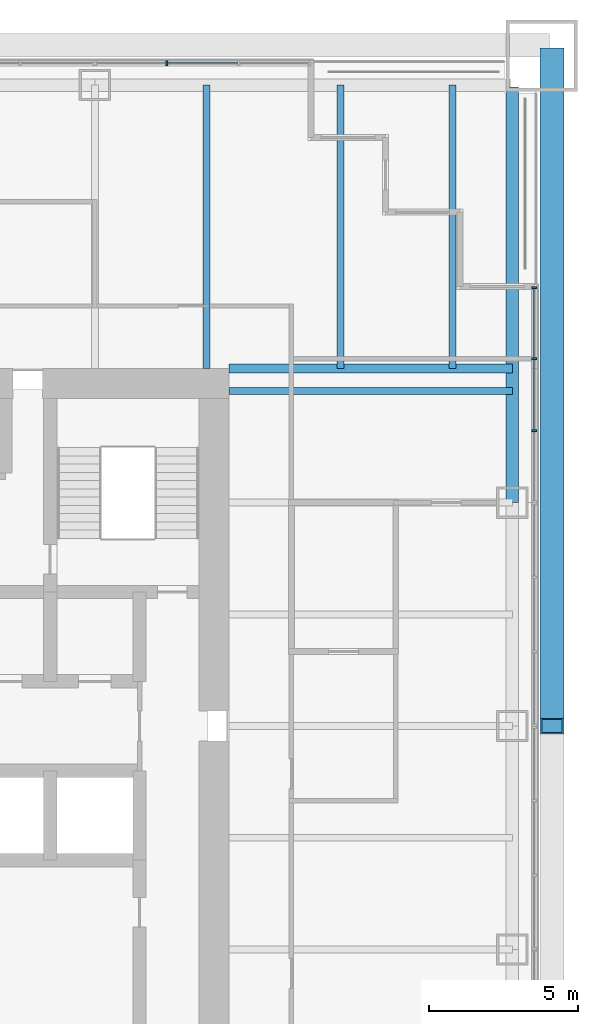
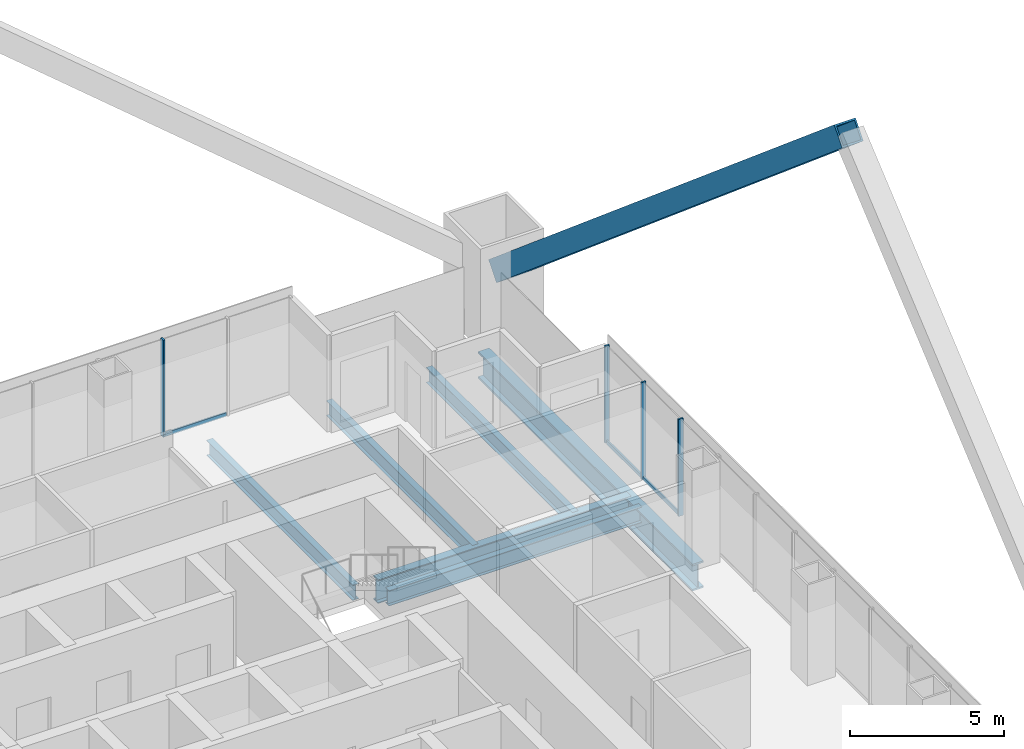
# One storey, part 11 of 19: 8 members, 6 beams, 2 elements without a shape of their own.
"""IFC4 building model written with IfcOpenShell, lengths in metres."""

from ifc_helpers import new_model, si_unit, direction, frame, origin, origin_2d, place, context, subcontext, project, spatial, rectangle, hollow_rectangle, i_section, extrude, material, material_profile, profile_set, type_object, element, aggregate, save


model = new_model("IFC4")

# Units and contexts
model_context = context("Model", 3, precision=1e-05, world=origin(), true_north=direction((0.0, 1.0)))
body_context = subcontext(model_context, "Body", "Model", "MODEL_VIEW")
ifc_project = project(units=[si_unit("LENGTHUNIT", "METRE"), si_unit("AREAUNIT", "SQUARE_METRE"), si_unit("VOLUMEUNIT", "CUBIC_METRE"), si_unit("PLANEANGLEUNIT", "RADIAN"), si_unit("MASSUNIT", "GRAM", prefix="KILO")], contexts=[model_context])

# Site, building, storey
site_placement = place(None, origin())
site = spatial("IfcSite", under=ifc_project, at=site_placement, CompositionType="ELEMENT")
building_placement = place(site_placement, origin())
building = spatial("IfcBuilding", under=site, at=building_placement, Name="Tarangal Relay Tower", CompositionType="ELEMENT")
storey_placement = place(building_placement, frame((0.0, 0.0, 213.89990234375)))
storey = spatial("IfcBuildingStorey", under=building, at=storey_placement, Name="L45", CompositionType="ELEMENT", Elevation=213.89990234375)

# Beams
ifc_material_1 = material(Name="Steel ASTM A992", Category="steel")
ifc_material_profile_1 = material_profile(ifc_material_1, i_section(OverallWidth=0.227783203125, OverallDepth=0.60205078125, WebThickness=0.010498046875, FlangeThickness=0.014892578125, at=origin_2d()), Name="W24X68")
ifc_profile_set_1 = profile_set([ifc_material_profile_1], Name="Steel ASTM A992")
beam_type_1 = type_object("IfcBeamType", Name="Corner beam W24X68", PredefinedType="JOIST", material=ifc_profile_set_1)
for number, where, z_axis, x_axis, name in (
    (1, (15.75, 12.0, -0.450927734375), (0.0, 1.0, 0.0), (-1.0, 0.0, 0.0), "Corner beam CB11 N L45"),
    (2, (19.5, 12.0, -0.450927734375), (0.0, 1.0, 0.0), (-1.0, 0.0, 0.0), "Corner beam CB11 N L45"),
):
    element("IfcBeam", number, at=place(storey_placement, frame(where, z_axis=z_axis, x_axis=x_axis)), inside=storey, type_object=beam_type_1, Name=name, PredefinedType="JOIST", context=body_context, shape_type="SweptSolid", body=[
        extrude(i_section(OverallWidth=0.227783203125, OverallDepth=0.60205078125, WebThickness=0.010498046875, FlangeThickness=0.014892578125, at=origin_2d()), origin(), (0.0, 0.0, 1.0), 9.514892578125),
    ])
ifc_material_profile_2 = material_profile(ifc_material_1, i_section(OverallWidth=0.307373046875, OverallDepth=0.9423828125, WebThickness=0.022216796875, FlangeThickness=0.039794921875, at=origin_2d()), Name="W36X232")
ifc_profile_set_2 = profile_set([ifc_material_profile_2], Name="Steel ASTM A992")
beam_type_2 = type_object("IfcBeamType", Name="Corner girder W36X232", PredefinedType="BEAM", material=ifc_profile_set_2)
beam_1_placement = place(storey_placement, frame((12.0, 12.0, -0.62109375), z_axis=(1.0, 0.0, 0.0), x_axis=(0.0, 1.0, 0.0)))
element("IfcBeam", 3, at=beam_1_placement, inside=storey, type_object=beam_type_2, Name="Corner girder CG4 N L45", PredefinedType="BEAM", context=body_context, shape_type="SweptSolid", body=[
    extrude(i_section(OverallWidth=0.307373046875, OverallDepth=0.9423828125, WebThickness=0.022216796875, FlangeThickness=0.039794921875, at=origin_2d()), origin(), (0.0, 0.0, 1.0), 9.514892578125),
])
ifc_material_profile_3 = material_profile(ifc_material_1, i_section(OverallWidth=0.41650390625, OverallDepth=1.0693359375, WebThickness=0.0390625, FlangeThickness=0.070068359375, at=origin_2d()), Name="W40X503")
ifc_profile_set_3 = profile_set([ifc_material_profile_3], Name="Steel ASTM A992")
beam_type_3 = type_object("IfcBeamType", Name="Edge girder W40X503", PredefinedType="SPANDREL", material=ifc_profile_set_3)
beam_2_placement = place(storey_placement, frame((21.514892578125, 21.449951171875, -0.6845703125), z_axis=(0.0, -1.0, 0.0), x_axis=(1.0, 0.0, 0.0)))
element("IfcBeam", 4, at=beam_2_placement, inside=storey, type_object=beam_type_3, Name="Edge girder EG8 E L45", PredefinedType="SPANDREL", context=body_context, shape_type="SweptSolid", body=[
    extrude(i_section(OverallWidth=0.41650390625, OverallDepth=1.0693359375, WebThickness=0.0390625, FlangeThickness=0.070068359375, at=origin_2d()), origin(), (0.0, 0.0, 1.0), 13.949951171875),
])
ifc_material_profile_4 = material_profile(ifc_material_1, i_section(OverallWidth=0.22900390625, OverallDepth=0.612060546875, WebThickness=0.011962890625, FlangeThickness=0.01953125, at=origin_2d()), Name="W24X84")
ifc_profile_set_4 = profile_set([ifc_material_profile_4], Name="Steel ASTM A992")
beam_type_4 = type_object("IfcBeamType", Name="Floor beam W24X84", PredefinedType="BEAM", material=ifc_profile_set_4)
for number, where, z_axis, x_axis, name in (
    (5, (11.25, 12.0, -0.455810546875), (0.0, 1.0, 0.0), (-1.0, 0.0, 0.0), "Floor beam RB12 N L45"),
    (6, (12.0, 11.25, -0.455810546875), (1.0, 0.0, 0.0), (0.0, 1.0, 0.0), "Floor beam RB12 E L45"),
):
    element("IfcBeam", number, at=place(storey_placement, frame(where, z_axis=z_axis, x_axis=x_axis)), inside=storey, type_object=beam_type_4, Name=name, PredefinedType="BEAM", context=body_context, shape_type="SweptSolid", body=[
        extrude(i_section(OverallWidth=0.22900390625, OverallDepth=0.612060546875, WebThickness=0.011962890625, FlangeThickness=0.01953125, at=origin_2d()), origin(), (0.0, 0.0, 1.0), 9.514892578125),
    ])

# Member
ifc_material_2 = material(Name="Steel ASTM A572 Grade 50", Category="steel")
ifc_material_profile_5 = material_profile(ifc_material_2, hollow_rectangle(XDim=0.800048828125, YDim=0.800048828125, WallThickness=0.06494140625, at=origin_2d()), Name="BOX800X800X65")
ifc_profile_set_5 = profile_set([ifc_material_profile_5], Name="Steel ASTM A572 Grade 50")
member_type_1 = type_object("IfcMemberType", Name="Mega brace BOX800X800X65", PredefinedType="BRACE", material=ifc_profile_set_5)
member_1_placement = place(storey_placement, frame((22.85009765625, 22.5, 2.0), z_axis=(0.0, -0.764029915847, 0.645180817826), x_axis=(1.0, 0.0, 0.0)))
element("IfcMember", 7, at=member_1_placement, inside=storey, type_object=member_type_1, Name="Mega brace MB3 E face module 2", PredefinedType="BRACE", context=body_context, shape_type="SweptSolid", body=[
    extrude(hollow_rectangle(XDim=0.800048828125, YDim=0.800048828125, WallThickness=0.06494140625, at=origin_2d()), origin(), (0.0, 0.0, 1.0), 29.44921875),
])

# Curtain wall, member
ifc_material_3 = material(Name="Unitised curtain wall, dark glass and black aluminium", Category="aluminium")
curtain_wall_type = type_object("IfcCurtainWallType", Name="Curtain wall CW-A", PredefinedType="USERDEFINED", material=ifc_material_3)
curtain_wall_1_placement = place(storey_placement, origin())
curtain_wall_1 = element("IfcCurtainWall", 8, at=curtain_wall_1_placement, inside=storey, type_object=curtain_wall_type, Name="Curtain wall CW-A N facade L45", ObjectType="UNITISED CURTAIN WALL", PredefinedType="USERDEFINED")
ifc_material_4 = material(Name="Black anodised aluminium mullion", Category="aluminium")
ifc_material_profile_6 = material_profile(ifc_material_4, rectangle(XDim=0.175048828125, YDim=0.06494140625, at=origin_2d()), Name="CW-AM 65X175")
ifc_profile_set_6 = profile_set([ifc_material_profile_6], Name="Black anodised aluminium mullion")
member_type_2 = type_object("IfcMemberType", Name="Mullion CW-A 65 x 175", PredefinedType="MULLION", material=ifc_profile_set_6)
member_2_placement = place(storey_placement, frame((9.916748046875, 22.25, 0.0), z_axis=(0.0, 0.0, 1.0), x_axis=(0.0, 1.0, 0.0)))
member_2 = element("IfcMember", 9, at=member_2_placement, type_object=member_type_2, Name="CW-A mullion 2", PredefinedType="MULLION", context=body_context, shape_type="SweptSolid", body=[
    extrude(rectangle(XDim=0.175048828125, YDim=0.06494140625, at=origin_2d()), origin(), (0.0, 0.0, 1.0), 3.85009765625),
])

# Curtain wall, members
curtain_wall_2_placement = place(storey_placement, origin())
curtain_wall_2 = element("IfcCurtainWall", 10, at=curtain_wall_2_placement, inside=storey, type_object=curtain_wall_type, Name="Curtain wall CW-A E facade L45", ObjectType="UNITISED CURTAIN WALL", PredefinedType="USERDEFINED")
member_3_placement = place(storey_placement, frame((22.25, 14.717529296875, 0.0), z_axis=(0.0, 0.0, 1.0), x_axis=(1.0, 0.0, 0.0)))
member_3 = element("IfcMember", 11, at=member_3_placement, type_object=member_type_2, Name="CW-A mullion 1", PredefinedType="MULLION", context=body_context, shape_type="SweptSolid", body=[
    extrude(rectangle(XDim=0.175048828125, YDim=0.06494140625, at=origin_2d()), origin(), (0.0, 0.0, 1.0), 3.85009765625),
])
member_4_placement = place(storey_placement, frame((22.25, 12.333251953125, 0.0), z_axis=(0.0, 0.0, 1.0), x_axis=(1.0, 0.0, 0.0)))
member_4 = element("IfcMember", 12, at=member_4_placement, type_object=member_type_2, Name="CW-A mullion 2", PredefinedType="MULLION", context=body_context, shape_type="SweptSolid", body=[
    extrude(rectangle(XDim=0.175048828125, YDim=0.06494140625, at=origin_2d()), origin(), (0.0, 0.0, 1.0), 3.85009765625),
])
member_5_placement = place(storey_placement, frame((22.25, 9.916748046875, 0.0), z_axis=(0.0, 0.0, 1.0), x_axis=(1.0, 0.0, 0.0)))
member_5 = element("IfcMember", 13, at=member_5_placement, type_object=member_type_2, Name="CW-A mullion 3", PredefinedType="MULLION", context=body_context, shape_type="SweptSolid", body=[
    extrude(rectangle(XDim=0.175048828125, YDim=0.06494140625, at=origin_2d()), origin(), (0.0, 0.0, 1.0), 3.85009765625),
])

# Member
ifc_material_5 = material(Name="Black anodised aluminium transom", Category="aluminium")
ifc_material_profile_7 = material_profile(ifc_material_5, rectangle(XDim=0.06494140625, YDim=0.14990234375, at=origin_2d()), Name="CW-AT 65X150")
ifc_profile_set_7 = profile_set([ifc_material_profile_7], Name="Black anodised aluminium transom")
member_type_3 = type_object("IfcMemberType", Name="Transom CW-A 65 x 150", PredefinedType="USERDEFINED", material=ifc_profile_set_7)
member_6_placement = place(storey_placement, frame((9.94921875, 22.25, 0.03271484375), z_axis=(1.0, 0.0, 0.0), x_axis=(0.0, 1.0, 0.0)))
member_6 = element("IfcMember", 14, at=member_6_placement, type_object=member_type_3, Name="CW-A transom 2.1", ObjectType="TRANSOM", PredefinedType="USERDEFINED", context=body_context, shape_type="SweptSolid", body=[
    extrude(rectangle(XDim=0.06494140625, YDim=0.14990234375, at=origin_2d()), origin(), (0.0, 0.0, 1.0), 2.3515625),
])

aggregate(curtain_wall_1, [member_2, member_6])

member_7_placement = place(storey_placement, frame((22.25, 14.68505859375, 0.03271484375), z_axis=(0.0, -1.0, 0.0), x_axis=(1.0, 0.0, 0.0)))
member_7 = element("IfcMember", 15, at=member_7_placement, type_object=member_type_3, Name="CW-A transom 1.1", ObjectType="TRANSOM", PredefinedType="USERDEFINED", context=body_context, shape_type="SweptSolid", body=[
    extrude(rectangle(XDim=0.06494140625, YDim=0.14990234375, at=origin_2d()), origin(), (0.0, 0.0, 1.0), 2.3193359375),
])

member_8_placement = place(storey_placement, frame((22.25, 12.30078125, 0.03271484375), z_axis=(0.0, -1.0, 0.0), x_axis=(1.0, 0.0, 0.0)))
member_8 = element("IfcMember", 16, at=member_8_placement, type_object=member_type_3, Name="CW-A transom 2.1", ObjectType="TRANSOM", PredefinedType="USERDEFINED", context=body_context, shape_type="SweptSolid", body=[
    extrude(rectangle(XDim=0.06494140625, YDim=0.14990234375, at=origin_2d()), origin(), (0.0, 0.0, 1.0), 2.3515625),
])

aggregate(curtain_wall_2, [member_3, member_4, member_5, member_7, member_8])

save(model, "model.ifc")
